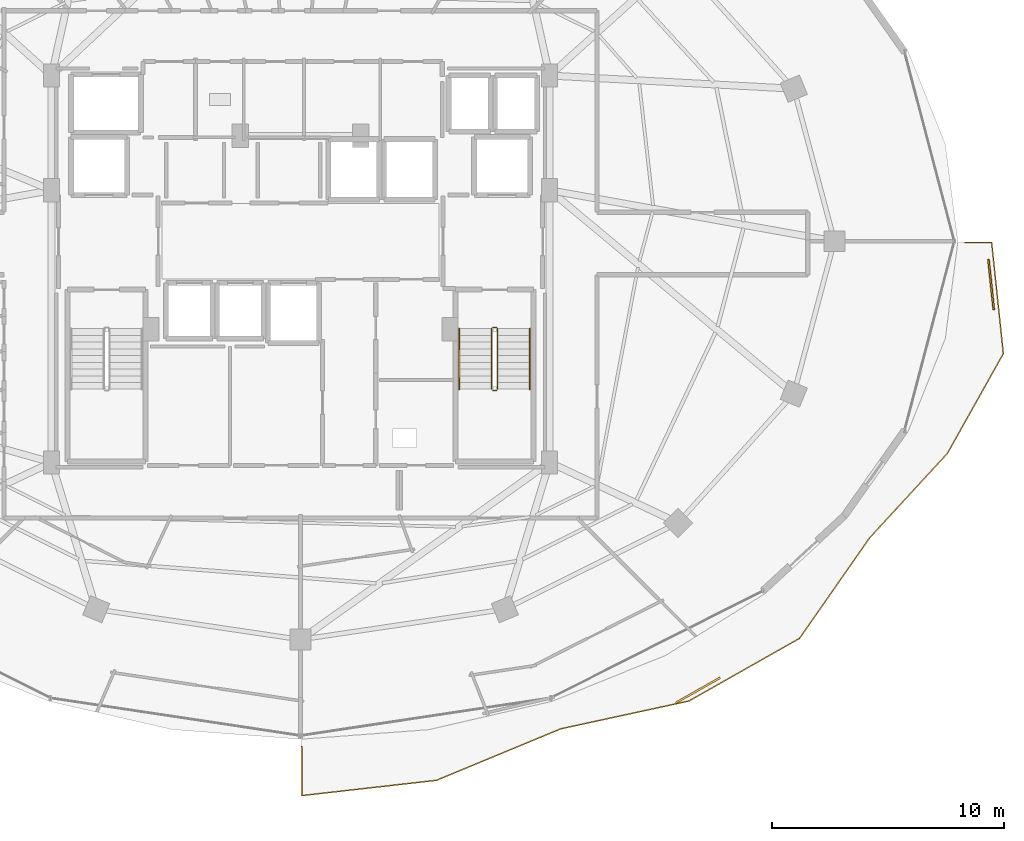
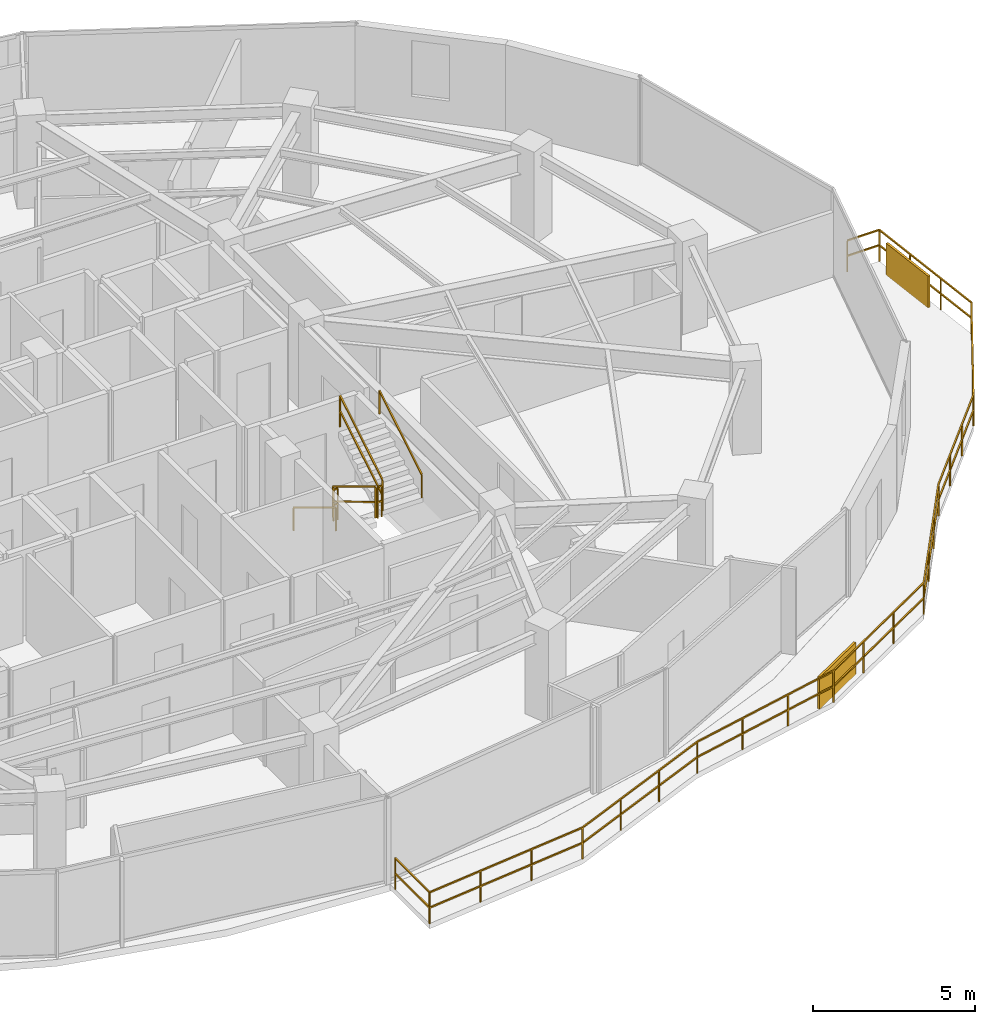
# One storey, part 31 of 33: 8 railings, 2 shading devices.
"""IFC4 building model written with IfcOpenShell, lengths in metres."""

import ifcopenshell
import ifcopenshell.guid

model = None  # the IFC model being written
_history = None  # IfcOwnerHistory: only IFC2X3 demands one
_inside = {}  # id of a spatial element -> (the spatial element, [elements in it])
_under = {}  # id of a project, library or spatial element -> (it, [spatial elements below it])
_declared = {}  # id of a project -> (the project, [libraries it declares])
_typed = {}  # id of a type object -> (the type object, [elements of that type])
_made_of = {}  # id of a material, layer set ... -> (it, [elements and type objects made of it])


def new_model(schema):
    """Start an empty IFC model of exactly this schema.

    Asked for "IFC4X3", IfcOpenShell would pick the latest addendum, in which some entities
    have other attributes; the version numbers below select the first issue.
    IFC2X3 requires an IfcOwnerHistory on every rooted entity: one is made here for all.
    """
    global model, _history
    if schema == "IFC4X3":
        model = ifcopenshell.file(schema_version=(4, 3, 0, 0))
    else:
        model = ifcopenshell.file(schema=schema)
    _inside.clear()
    _under.clear()
    _declared.clear()
    _typed.clear()
    _made_of.clear()
    _history = None
    if model.schema == "IFC2X3":
        org = make("IfcOrganization", Name="unknown")
        user = make(
            "IfcPersonAndOrganization",
            ThePerson=make("IfcPerson", FamilyName="unknown"),
            TheOrganization=org,
        )
        app = make(
            "IfcApplication",
            ApplicationDeveloper=org,
            Version="unknown",
            ApplicationFullName="unknown",
            ApplicationIdentifier="unknown",
        )
        _history = make(
            "IfcOwnerHistory",
            OwningUser=user,
            OwningApplication=app,
            ChangeAction="ADDED",
            CreationDate=0,
        )
    return model


def make(cls, **values):
    """One entity of the class cls with the attributes given. An attribute that is None is left unset."""
    return model.create_entity(
        cls, **{name: value for name, value in values.items() if value is not None}
    )


def rooted(cls, **values):
    """An entity with a GlobalId (a new one), such as an element, a storey or a relation."""
    return make(cls, GlobalId=ifcopenshell.guid.new(), OwnerHistory=_history, **values)


def si_unit(unit_type, name, prefix=None):
    """IfcSIUnit, for example si_unit("LENGTHUNIT", "METRE", prefix="MILLI")."""
    return make("IfcSIUnit", UnitType=unit_type, Prefix=prefix, Name=name)


def assignment(units):
    """IfcUnitAssignment: the units of a project."""
    return None if units is None else make("IfcUnitAssignment", Units=units)


def point(xyz):
    """IfcCartesianPoint."""
    return None if xyz is None else make("IfcCartesianPoint", Coordinates=xyz)


def direction(xyz):
    """IfcDirection."""
    return None if xyz is None else make("IfcDirection", DirectionRatios=xyz)


def frame(location, z_axis=None, x_axis=None):
    """IfcAxis2Placement3D, a coordinate frame: its origin and axes. An axis left out is left unset."""
    return make(
        "IfcAxis2Placement3D",
        Location=point(location),
        Axis=direction(z_axis),
        RefDirection=direction(x_axis),
    )


def frame_2d(location, x_axis=None):
    """IfcAxis2Placement2D, a coordinate frame in the plane: its origin and x axis."""
    return make(
        "IfcAxis2Placement2D", Location=point(location), RefDirection=direction(x_axis)
    )


def origin():
    """The frame at (0, 0, 0) with its axes left unset."""
    return frame((0.0, 0.0, 0.0))


def origin_2d():
    """The frame at (0, 0) in the plane with its x axis left unset."""
    return frame_2d((0.0, 0.0))


def place(relative_to, where):
    """IfcLocalPlacement: puts the frame where relative to a parent placement (None: the world)."""
    return make(
        "IfcLocalPlacement", PlacementRelTo=relative_to, RelativePlacement=where
    )


def context(
    kind, dimensions, precision=None, world=None, true_north=None, identifier=None
):
    """IfcGeometricRepresentationContext, for example the 3D "Model" context."""
    return make(
        "IfcGeometricRepresentationContext",
        ContextIdentifier=identifier,
        ContextType=kind,
        CoordinateSpaceDimension=dimensions,
        Precision=precision,
        WorldCoordinateSystem=world,
        TrueNorth=true_north,
    )


def subcontext(parent, identifier, kind, view, scale=None):
    """IfcGeometricRepresentationSubContext, for example "Body" below "Model"."""
    return make(
        "IfcGeometricRepresentationSubContext",
        ContextIdentifier=identifier,
        ContextType=kind,
        ParentContext=parent,
        TargetScale=scale,
        TargetView=view,
    )


def project(units=None, contexts=None):
    """IfcProject with its units and contexts."""
    return rooted(
        "IfcProject",
        Name="project",
        RepresentationContexts=contexts,
        UnitsInContext=assignment(units),
    )


def spatial(cls, under=None, at=None, **own):
    """A site, building, storey or space (cls), placed at a placement, below another one or the project."""
    s = rooted(cls, ObjectPlacement=at, **own)
    if under is not None:
        _under.setdefault(under.id(), (under, []))[1].append(s)
    return s


def profile(cls, at=None, kind="AREA", **sizes):
    """A parametric profile (cls). Its sizes go by their IFC names, for example OverallWidth=200.0."""
    return make(cls, ProfileType=kind, Position=at, **sizes)


def rectangle(**sizes):
    """IfcRectangleProfileDef."""
    return profile("IfcRectangleProfileDef", **sizes)


def extrude(swept, where, along, depth):
    """IfcExtrudedAreaSolid: the profile swept, set in the frame where, extruded along a direction by depth."""
    return make(
        "IfcExtrudedAreaSolid",
        SweptArea=swept,
        Position=where,
        ExtrudedDirection=direction(along),
        Depth=depth,
    )


def shape(context_of_items, identifier, shape_type, items):
    """IfcShapeRepresentation: the items that make up one representation, for example the "Body"."""
    return make(
        "IfcShapeRepresentation",
        ContextOfItems=context_of_items,
        RepresentationIdentifier=identifier,
        RepresentationType=shape_type,
        Items=items,
    )


def material(Name=None, Category=None):
    """IfcMaterial."""
    return make("IfcMaterial", Name=Name, Category=Category)


def made_of(thing, what):
    """Note that an element or type object is made of a material, layer set ...; save() writes the relation."""
    if what is not None:
        _made_of.setdefault(what.id(), (what, []))[1].append(thing)
    return thing


def type_object(cls, material=None, **own):
    """A type object (cls), such as IfcWallType, which elements share."""
    return made_of(rooted(cls, **own), material)


def element(
    cls,
    number,
    at=None,
    inside=None,
    cuts=None,
    type_object=None,
    material=None,
    context=None,
    identifier="Body",
    shape_type=None,
    held_by="IfcProductDefinitionShape",
    body=None,
    shapes=None,
    **own,
):
    """One element of the class cls, such as IfcWall. Its Tag is "e" and its number.

    at: its placement. inside: the storey or other place that contains it. cuts: it is an
    opening in that element (IfcRelVoidsElement). A single representation is given by context,
    identifier, shape_type and body (its items); several are given by shapes. held_by: the class
    of the entity that holds the representations. save() writes the other relations.
    """
    e = rooted(cls, Tag="e%d" % number, ObjectPlacement=at, **own)
    if body is not None:
        shapes = [shape(context, identifier, shape_type, body)]
    if shapes is not None:
        e.Representation = make(held_by, Representations=shapes)
    if inside is not None:
        _inside.setdefault(inside.id(), (inside, []))[1].append(e)
    if cuts is not None:
        rooted(
            "IfcRelVoidsElement", RelatingBuildingElement=cuts, RelatedOpeningElement=e
        )
    if type_object is not None:
        _typed.setdefault(type_object.id(), (type_object, []))[1].append(e)
    return made_of(e, material)


def aggregate(whole, parts):
    """IfcRelAggregates: a whole, such as a stair, and the parts it consists of."""
    return rooted("IfcRelAggregates", RelatingObject=whole, RelatedObjects=parts)


def save(model, path):
    """Write the relations noted so far, then the file.

    IfcRelAggregates (storeys below a building ...), IfcRelContainedInSpatialStructure (elements
    in a storey), IfcRelDefinesByType, IfcRelAssociatesMaterial and IfcRelDeclares: one each for
    every whole, place, type object, material and project.
    """
    for whole, parts in _under.values():
        aggregate(whole, parts)
    for where, things in _inside.values():
        rooted(
            "IfcRelContainedInSpatialStructure",
            RelatedElements=things,
            RelatingStructure=where,
        )
    for kind, things in _typed.values():
        rooted("IfcRelDefinesByType", RelatedObjects=things, RelatingType=kind)
    for what, things in _made_of.values():
        rooted("IfcRelAssociatesMaterial", RelatedObjects=things, RelatingMaterial=what)
    for by, libraries in _declared.values():
        rooted("IfcRelDeclares", RelatingContext=by, RelatedDefinitions=libraries)
    model.write(path)


model = new_model("IFC4")

# Units and contexts
model_context = context("Model", 3, precision=1e-05, world=origin(), true_north=direction((0.0, 1.0)))
body_context = subcontext(model_context, "Body", "Model", "MODEL_VIEW")
ifc_project = project(units=[si_unit("LENGTHUNIT", "METRE"), si_unit("AREAUNIT", "SQUARE_METRE"), si_unit("VOLUMEUNIT", "CUBIC_METRE"), si_unit("PLANEANGLEUNIT", "RADIAN"), si_unit("MASSUNIT", "GRAM", prefix="KILO")], contexts=[model_context])

# Site, building, storey
site_placement = place(None, origin())
site = spatial("IfcSite", under=ifc_project, at=site_placement, CompositionType="ELEMENT")
building_placement = place(site_placement, origin())
building = spatial("IfcBuilding", under=site, at=building_placement, Name="Vorneva Point Tower", CompositionType="ELEMENT")
storey_placement = place(building_placement, frame((0.0, 0.0, 189.60009765625)))
storey = spatial("IfcBuildingStorey", under=building, at=storey_placement, Name="L51", CompositionType="ELEMENT", Elevation=189.60009765625)

# Railings
ifc_material_1 = material(Name="Pale anodised aluminium", Category="aluminium")
railing_type_1 = type_object("IfcRailingType", Name="RL-BAL-1200", PredefinedType="BALUSTRADE", material=ifc_material_1)
railing_1_placement = place(storey_placement, frame((68.34619140625, 21.14599609375, 0.0)))
element("IfcRailing", 1, at=railing_1_placement, inside=storey, type_object=railing_type_1, Name="L51 Wave Balcony Balustrade SE.1", PredefinedType="BALUSTRADE", context=body_context, shape_type="SweptSolid", body=[
    extrude(rectangle(XDim=0.048095703125, YDim=0.048095703125, at=origin_2d()), frame((0.0, 0.0, 1.17578125), z_axis=(-0.104721617299, 0.994501575097, 0.0), x_axis=(-0.994501575097, -0.104721617299, 0.0)), (0.0, 0.0, 1.0), 4.83056640625),
    extrude(rectangle(XDim=0.048095703125, YDim=0.048095703125, at=origin_2d()), frame((0.0, 0.0, 0.60009765625), z_axis=(-0.104721617299, 0.994501575097, 0.0), x_axis=(-0.994501575097, -0.104721617299, 0.0)), (0.0, 0.0, 1.0), 4.83056640625),
    extrude(rectangle(XDim=0.048095703125, YDim=0.048095703125, at=origin_2d()), frame((-0.505859375, 4.803955078125, 1.17578125), z_axis=(-1.0, 0.0, 0.0), x_axis=(0.0, -1.0, 0.0)), (0.0, 0.0, 1.0), 1.14404296875),
    extrude(rectangle(XDim=0.048095703125, YDim=0.048095703125, at=origin_2d()), frame((-0.505859375, 4.803955078125, 0.60009765625), z_axis=(-1.0, 0.0, 0.0), x_axis=(0.0, -1.0, 0.0)), (0.0, 0.0, 1.0), 1.14404296875),
    extrude(rectangle(XDim=0.0419921875, YDim=0.0419921875, at=origin_2d()), origin(), (0.0, 0.0, 1.0), 1.15185546875),
    extrude(rectangle(XDim=0.0419921875, YDim=0.0419921875, at=origin_2d()), frame((-0.168701171875, 1.601318359375, 0.0)), (0.0, 0.0, 1.0), 1.15185546875),
    extrude(rectangle(XDim=0.0419921875, YDim=0.0419921875, at=origin_2d()), frame((-0.337158203125, 3.20263671875, 0.0)), (0.0, 0.0, 1.0), 1.15185546875),
    extrude(rectangle(XDim=0.0419921875, YDim=0.0419921875, at=origin_2d()), frame((-0.505859375, 4.803955078125, 0.0)), (0.0, 0.0, 1.0), 1.15185546875),
    extrude(rectangle(XDim=0.0419921875, YDim=0.0419921875, at=origin_2d()), frame((-1.64990234375, 4.803955078125, 0.0)), (0.0, 0.0, 1.0), 1.15185546875),
])
railing_2_placement = place(storey_placement, frame((38.050048828125, 4.182861328125, 0.0)))
element("IfcRailing", 2, at=railing_2_placement, inside=storey, type_object=railing_type_1, Name="L51 Wave Balcony Balustrade SE.2", PredefinedType="BALUSTRADE", context=body_context, shape_type="SweptSolid", body=[
    extrude(rectangle(XDim=0.048095703125, YDim=0.048095703125, at=origin_2d()), frame((0.0, 0.0, 1.17578125), z_axis=(0.0, -1.0, 0.0), x_axis=(1.0, 0.0, 0.0)), (0.0, 0.0, 1.0), 2.1220703125),
    extrude(rectangle(XDim=0.048095703125, YDim=0.048095703125, at=origin_2d()), frame((0.0, 0.0, 0.60009765625), z_axis=(0.0, -1.0, 0.0), x_axis=(1.0, 0.0, 0.0)), (0.0, 0.0, 1.0), 2.1220703125),
    extrude(rectangle(XDim=0.048095703125, YDim=0.048095703125, at=origin_2d()), frame((0.0, -2.1220703125, 1.17578125), z_axis=(0.993640825621, 0.112596223997, 0.0), x_axis=(-0.112596223997, 0.993640825621, 0.0)), (0.0, 0.0, 1.0), 5.854248046875),
    extrude(rectangle(XDim=0.048095703125, YDim=0.048095703125, at=origin_2d()), frame((0.0, -2.1220703125, 0.60009765625), z_axis=(0.993640825621, 0.112596223997, 0.0), x_axis=(-0.112596223997, 0.993640825621, 0.0)), (0.0, 0.0, 1.0), 5.854248046875),
    extrude(rectangle(XDim=0.048095703125, YDim=0.048095703125, at=origin_2d()), frame((5.817138671875, -1.462890625, 1.17578125), z_axis=(0.92384832212, 0.382758772227, 0.0), x_axis=(-0.382758772227, 0.92384832212, 0.0)), (0.0, 0.0, 1.0), 5.81005859375),
    extrude(rectangle(XDim=0.048095703125, YDim=0.048095703125, at=origin_2d()), frame((5.817138671875, -1.462890625, 0.60009765625), z_axis=(0.92384832212, 0.382758772227, 0.0), x_axis=(-0.382758772227, 0.92384832212, 0.0)), (0.0, 0.0, 1.0), 5.81005859375),
    extrude(rectangle(XDim=0.048095703125, YDim=0.048095703125, at=origin_2d()), frame((11.184814453125, 0.760986328125, 1.17578125), z_axis=(0.977262278144, 0.212034053201, 0.0), x_axis=(-0.212034053201, 0.977262278144, 0.0)), (0.0, 0.0, 1.0), 5.66259765625),
    extrude(rectangle(XDim=0.048095703125, YDim=0.048095703125, at=origin_2d()), frame((11.184814453125, 0.760986328125, 0.60009765625), z_axis=(0.977262278144, 0.212034053201, 0.0), x_axis=(-0.212034053201, 0.977262278144, 0.0)), (0.0, 0.0, 1.0), 5.66259765625),
    extrude(rectangle(XDim=0.048095703125, YDim=0.048095703125, at=origin_2d()), frame((16.71875, 1.961669921875, 1.17578125), z_axis=(0.870193875648, 0.492709466912, 0.0), x_axis=(-0.492709466912, 0.870193875648, 0.0)), (0.0, 0.0, 1.0), 5.48779296875),
    extrude(rectangle(XDim=0.048095703125, YDim=0.048095703125, at=origin_2d()), frame((16.71875, 1.961669921875, 0.60009765625), z_axis=(0.870193875648, 0.492709466912, 0.0), x_axis=(-0.492709466912, 0.870193875648, 0.0)), (0.0, 0.0, 1.0), 5.48779296875),
    extrude(rectangle(XDim=0.048095703125, YDim=0.048095703125, at=origin_2d()), frame((21.494140625, 4.66552734375, 1.17578125), z_axis=(0.572063356747, 0.820209434149, 0.0), x_axis=(-0.820209434149, 0.572063356747, 0.0)), (0.0, 0.0, 1.0), 5.297119140625),
    extrude(rectangle(XDim=0.048095703125, YDim=0.048095703125, at=origin_2d()), frame((21.494140625, 4.66552734375, 0.60009765625), z_axis=(0.572063356747, 0.820209434149, 0.0), x_axis=(-0.820209434149, 0.572063356747, 0.0)), (0.0, 0.0, 1.0), 5.297119140625),
    extrude(rectangle(XDim=0.048095703125, YDim=0.048095703125, at=origin_2d()), frame((24.5244140625, 9.01025390625, 1.17578125), z_axis=(0.677483472958, 0.73553799621, 0.0), x_axis=(-0.73553799621, 0.677483472958, 0.0)), (0.0, 0.0, 1.0), 4.953857421875),
    extrude(rectangle(XDim=0.048095703125, YDim=0.048095703125, at=origin_2d()), frame((24.5244140625, 9.01025390625, 0.60009765625), z_axis=(0.677483472958, 0.73553799621, 0.0), x_axis=(-0.73553799621, 0.677483472958, 0.0)), (0.0, 0.0, 1.0), 4.953857421875),
    extrude(rectangle(XDim=0.048095703125, YDim=0.048095703125, at=origin_2d()), frame((27.880615234375, 12.654052734375, 1.17578125), z_axis=(0.488979555441, 0.872295244949, 0.0), x_axis=(-0.872295244949, 0.488979555441, 0.0)), (0.0, 0.0, 1.0), 4.93994140625),
    extrude(rectangle(XDim=0.048095703125, YDim=0.048095703125, at=origin_2d()), frame((27.880615234375, 12.654052734375, 0.60009765625), z_axis=(0.488979555441, 0.872295244949, 0.0), x_axis=(-0.872295244949, 0.488979555441, 0.0)), (0.0, 0.0, 1.0), 4.93994140625),
    extrude(rectangle(XDim=0.0419921875, YDim=0.0419921875, at=origin_2d()), origin(), (0.0, 0.0, 1.0), 1.15185546875),
    extrude(rectangle(XDim=0.0419921875, YDim=0.0419921875, at=origin_2d()), frame((0.0, -2.1220703125, 0.0)), (0.0, 0.0, 1.0), 1.15185546875),
    extrude(rectangle(XDim=0.0419921875, YDim=0.0419921875, at=origin_2d()), frame((1.93896484375, -1.90234375, 0.0)), (0.0, 0.0, 1.0), 1.15185546875),
    extrude(rectangle(XDim=0.0419921875, YDim=0.0419921875, at=origin_2d()), frame((3.878173828125, -1.6826171875, 0.0)), (0.0, 0.0, 1.0), 1.15185546875),
    extrude(rectangle(XDim=0.0419921875, YDim=0.0419921875, at=origin_2d()), frame((5.817138671875, -1.462890625, 0.0)), (0.0, 0.0, 1.0), 1.15185546875),
    extrude(rectangle(XDim=0.0419921875, YDim=0.0419921875, at=origin_2d()), frame((7.6064453125, -0.7216796875, 0.0)), (0.0, 0.0, 1.0), 1.15185546875),
    extrude(rectangle(XDim=0.0419921875, YDim=0.0419921875, at=origin_2d()), frame((9.3955078125, 0.019775390625, 0.0)), (0.0, 0.0, 1.0), 1.15185546875),
    extrude(rectangle(XDim=0.0419921875, YDim=0.0419921875, at=origin_2d()), frame((11.184814453125, 0.760986328125, 0.0)), (0.0, 0.0, 1.0), 1.15185546875),
    extrude(rectangle(XDim=0.0419921875, YDim=0.0419921875, at=origin_2d()), frame((13.029541015625, 1.1611328125, 0.0)), (0.0, 0.0, 1.0), 1.15185546875),
    extrude(rectangle(XDim=0.0419921875, YDim=0.0419921875, at=origin_2d()), frame((14.8740234375, 1.5615234375, 0.0)), (0.0, 0.0, 1.0), 1.15185546875),
    extrude(rectangle(XDim=0.0419921875, YDim=0.0419921875, at=origin_2d()), frame((16.71875, 1.961669921875, 0.0)), (0.0, 0.0, 1.0), 1.15185546875),
    extrude(rectangle(XDim=0.0419921875, YDim=0.0419921875, at=origin_2d()), frame((18.310546875, 2.863037109375, 0.0)), (0.0, 0.0, 1.0), 1.15185546875),
    extrude(rectangle(XDim=0.0419921875, YDim=0.0419921875, at=origin_2d()), frame((19.90234375, 3.76416015625, 0.0)), (0.0, 0.0, 1.0), 1.15185546875),
    extrude(rectangle(XDim=0.0419921875, YDim=0.0419921875, at=origin_2d()), frame((21.494140625, 4.66552734375, 0.0)), (0.0, 0.0, 1.0), 1.15185546875),
    extrude(rectangle(XDim=0.0419921875, YDim=0.0419921875, at=origin_2d()), frame((22.504150390625, 6.11376953125, 0.0)), (0.0, 0.0, 1.0), 1.15185546875),
    extrude(rectangle(XDim=0.0419921875, YDim=0.0419921875, at=origin_2d()), frame((23.514404296875, 7.56201171875, 0.0)), (0.0, 0.0, 1.0), 1.15185546875),
    extrude(rectangle(XDim=0.0419921875, YDim=0.0419921875, at=origin_2d()), frame((24.5244140625, 9.01025390625, 0.0)), (0.0, 0.0, 1.0), 1.15185546875),
    extrude(rectangle(XDim=0.0419921875, YDim=0.0419921875, at=origin_2d()), frame((25.64306640625, 10.224853515625, 0.0)), (0.0, 0.0, 1.0), 1.15185546875),
    extrude(rectangle(XDim=0.0419921875, YDim=0.0419921875, at=origin_2d()), frame((26.761962890625, 11.439453125, 0.0)), (0.0, 0.0, 1.0), 1.15185546875),
    extrude(rectangle(XDim=0.0419921875, YDim=0.0419921875, at=origin_2d()), frame((27.880615234375, 12.654052734375, 0.0)), (0.0, 0.0, 1.0), 1.15185546875),
    extrude(rectangle(XDim=0.0419921875, YDim=0.0419921875, at=origin_2d()), frame((28.685791015625, 14.09033203125, 0.0)), (0.0, 0.0, 1.0), 1.15185546875),
    extrude(rectangle(XDim=0.0419921875, YDim=0.0419921875, at=origin_2d()), frame((29.490966796875, 15.52685546875, 0.0)), (0.0, 0.0, 1.0), 1.15185546875),
    extrude(rectangle(XDim=0.0419921875, YDim=0.0419921875, at=origin_2d()), frame((30.296142578125, 16.963134765625, 0.0)), (0.0, 0.0, 1.0), 1.15185546875),
])
ifc_material_2 = material(Name="Brushed stainless steel S304", Category="steel")
railing_type_2 = type_object("IfcRailingType", Name="RL-HND-920", PredefinedType="HANDRAIL", material=ifc_material_2)
railing_3_placement = place(storey_placement, frame((44.85009765625, 22.219970703125, 0.1748046875)))
element("IfcRailing", 3, at=railing_3_placement, inside=storey, type_object=railing_type_2, Name="L51 ST2 stair handrail 1", PredefinedType="HANDRAIL", context=body_context, shape_type="SweptSolid", body=[
    extrude(rectangle(XDim=0.048095703125, YDim=0.048095703125, at=origin_2d()), frame((0.0, 0.0, 0.8759765625), z_axis=(0.0, -0.856147343639, 0.516731773728), x_axis=(1.0, 0.0, 0.0)), (0.0, 0.0, 1.0), 3.04833984375),
    extrude(rectangle(XDim=0.0419921875, YDim=0.0419921875, at=origin_2d()), origin(), (0.0, 0.0, 1.0), 0.851806640625),
    extrude(rectangle(XDim=0.0419921875, YDim=0.0419921875, at=origin_2d()), frame((0.0, -2.60986328125, 1.5751953125)), (0.0, 0.0, 1.0), 0.851806640625),
])
railing_4_placement = place(storey_placement, frame((47.89990234375, 19.610107421875, 1.9248046875)))
element("IfcRailing", 4, at=railing_4_placement, inside=storey, type_object=railing_type_2, Name="L51 ST2 stair handrail 2", PredefinedType="HANDRAIL", context=body_context, shape_type="SweptSolid", body=[
    extrude(rectangle(XDim=0.048095703125, YDim=0.048095703125, at=origin_2d()), frame((0.0, 0.0, 0.8759765625), z_axis=(0.0, 0.856147343639, 0.516731773728), x_axis=(-1.0, 0.0, 0.0)), (0.0, 0.0, 1.0), 3.04833984375),
    extrude(rectangle(XDim=0.0419921875, YDim=0.0419921875, at=origin_2d()), origin(), (0.0, 0.0, 1.0), 0.851806640625),
    extrude(rectangle(XDim=0.0419921875, YDim=0.0419921875, at=origin_2d()), frame((0.0, 2.60986328125, 1.5751953125)), (0.0, 0.0, 1.0), 0.851806640625),
])
railing_type_3 = type_object("IfcRailingType", Name="RL-STG-1100", PredefinedType="GUARDRAIL", material=ifc_material_2)
railing_5_placement = place(storey_placement, frame((46.25, 22.219970703125, 0.1748046875)))
element("IfcRailing", 5, at=railing_5_placement, inside=storey, type_object=railing_type_3, Name="L51 ST2 stair guard 1", PredefinedType="GUARDRAIL", context=body_context, shape_type="SweptSolid", body=[
    extrude(rectangle(XDim=0.048095703125, YDim=0.048095703125, at=origin_2d()), frame((0.0, 0.0, 1.17578125), z_axis=(0.0, -0.856147343639, 0.516731773728), x_axis=(1.0, 0.0, 0.0)), (0.0, 0.0, 1.0), 3.04833984375),
    extrude(rectangle(XDim=0.048095703125, YDim=0.048095703125, at=origin_2d()), frame((0.0, 0.0, 0.60009765625), z_axis=(0.0, -0.856147343639, 0.516731773728), x_axis=(1.0, 0.0, 0.0)), (0.0, 0.0, 1.0), 3.04833984375),
    extrude(rectangle(XDim=0.0419921875, YDim=0.0419921875, at=origin_2d()), origin(), (0.0, 0.0, 1.0), 1.15185546875),
    extrude(rectangle(XDim=0.0419921875, YDim=0.0419921875, at=origin_2d()), frame((0.0, -2.60986328125, 1.5751953125)), (0.0, 0.0, 1.0), 1.15185546875),
])
railing_6_placement = place(storey_placement, frame((46.300048828125, 19.56005859375, 1.75)))
element("IfcRailing", 6, at=railing_6_placement, inside=storey, type_object=railing_type_3, Name="L51 ST2 stair guard 2", PredefinedType="GUARDRAIL", context=body_context, shape_type="SweptSolid", body=[
    extrude(rectangle(XDim=0.048095703125, YDim=0.048095703125, at=origin_2d()), frame((0.0, 0.0, 1.17578125), z_axis=(1.0, 0.0, 0.0), x_axis=(0.0, 1.0, 0.0)), (0.0, 0.0, 1.0), 0.14990234375),
    extrude(rectangle(XDim=0.048095703125, YDim=0.048095703125, at=origin_2d()), frame((0.0, 0.0, 0.60009765625), z_axis=(1.0, 0.0, 0.0), x_axis=(0.0, 1.0, 0.0)), (0.0, 0.0, 1.0), 0.14990234375),
    extrude(rectangle(XDim=0.0419921875, YDim=0.0419921875, at=origin_2d()), origin(), (0.0, 0.0, 1.0), 1.15185546875),
    extrude(rectangle(XDim=0.0419921875, YDim=0.0419921875, at=origin_2d()), frame((0.14990234375, 0.0, 0.0)), (0.0, 0.0, 1.0), 1.15185546875),
])
railing_7_placement = place(storey_placement, frame((46.5, 19.610107421875, 1.9248046875)))
element("IfcRailing", 7, at=railing_7_placement, inside=storey, type_object=railing_type_3, Name="L51 ST2 stair guard 3", PredefinedType="GUARDRAIL", context=body_context, shape_type="SweptSolid", body=[
    extrude(rectangle(XDim=0.048095703125, YDim=0.048095703125, at=origin_2d()), frame((0.0, 0.0, 1.17578125), z_axis=(0.0, 0.856147343639, 0.516731773728), x_axis=(-1.0, 0.0, 0.0)), (0.0, 0.0, 1.0), 3.04833984375),
    extrude(rectangle(XDim=0.048095703125, YDim=0.048095703125, at=origin_2d()), frame((0.0, 0.0, 0.60009765625), z_axis=(0.0, 0.856147343639, 0.516731773728), x_axis=(-1.0, 0.0, 0.0)), (0.0, 0.0, 1.0), 3.04833984375),
    extrude(rectangle(XDim=0.0419921875, YDim=0.0419921875, at=origin_2d()), origin(), (0.0, 0.0, 1.0), 1.15185546875),
    extrude(rectangle(XDim=0.0419921875, YDim=0.0419921875, at=origin_2d()), frame((0.0, 2.60986328125, 1.5751953125)), (0.0, 0.0, 1.0), 1.15185546875),
])
railing_8_placement = place(storey_placement, frame((46.300048828125, 22.27001953125, 0.0)))
element("IfcRailing", 8, at=railing_8_placement, inside=storey, type_object=railing_type_3, Name="L51 ST2 stair guard 4", PredefinedType="GUARDRAIL", context=body_context, shape_type="SweptSolid", body=[
    extrude(rectangle(XDim=0.048095703125, YDim=0.048095703125, at=origin_2d()), frame((0.0, 0.0, 1.17578125), z_axis=(1.0, 0.0, 0.0), x_axis=(0.0, 1.0, 0.0)), (0.0, 0.0, 1.0), 0.14990234375),
    extrude(rectangle(XDim=0.048095703125, YDim=0.048095703125, at=origin_2d()), frame((0.0, 0.0, 0.60009765625), z_axis=(1.0, 0.0, 0.0), x_axis=(0.0, 1.0, 0.0)), (0.0, 0.0, 1.0), 0.14990234375),
    extrude(rectangle(XDim=0.0419921875, YDim=0.0419921875, at=origin_2d()), origin(), (0.0, 0.0, 1.0), 1.15185546875),
    extrude(rectangle(XDim=0.0419921875, YDim=0.0419921875, at=origin_2d()), frame((0.14990234375, 0.0, 0.0)), (0.0, 0.0, 1.0), 1.15185546875),
])

# Shading devices
shading_device_type = type_object("IfcShadingDeviceType", Name="SHD-JAL-1200", PredefinedType="JALOUSIE", material=ifc_material_1)
for number, where, z_axis, x_axis, name in (
    (9, (67.813720703125, 24.130615234375, -0.02001953125), (0.0, 0.0, 1.0), (-0.104754110435, 0.994498153013, 0.0), "L51 Balcony Vertical-Greenery Planter Screen SE.1"),
    (10, (55.157958984375, 6.6123046875, -0.02001953125), (0.0, 0.0, 1.0), (0.87020955262, 0.492681778158, 0.0), "L51 Balcony Vertical-Greenery Planter Screen SE.2"),
):
    element("IfcShadingDevice", number, at=place(storey_placement, frame(where, z_axis=z_axis, x_axis=x_axis)), inside=storey, type_object=shading_device_type, Name=name, PredefinedType="JALOUSIE", context=body_context, shape_type="SweptSolid", body=[
        extrude(rectangle(XDim=2.199951171875, YDim=0.080078125, at=origin_2d()), origin(), (0.0, 0.0, 1.0), 1.199951171875),
    ])

save(model, "model.ifc")
